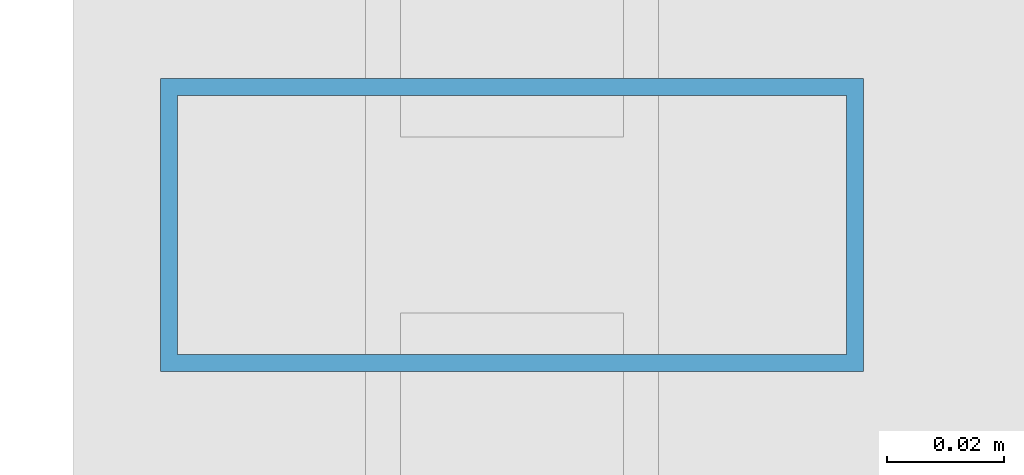
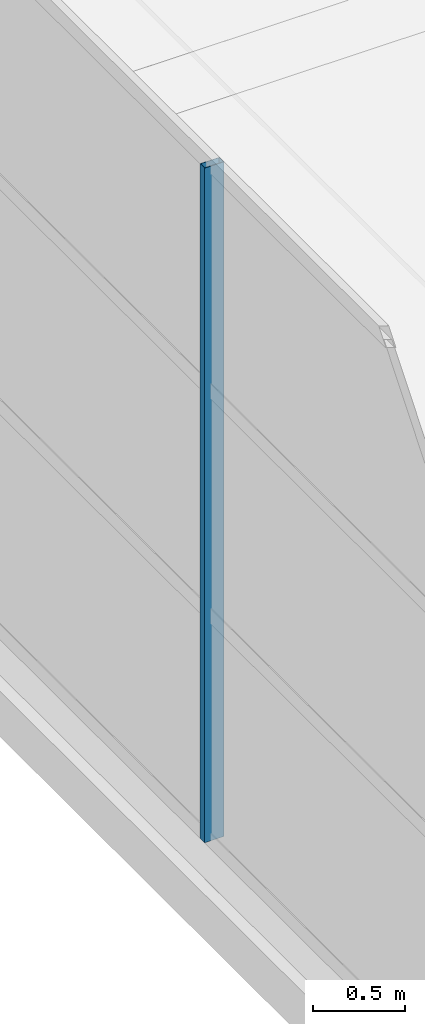
# One storey, part 51 of 112: 1 member, 1 element without a shape of its own.
"""IFC4 building model written with IfcOpenShell, lengths in metres."""

import ifcopenshell
import ifcopenshell.guid

model = None  # the IFC model being written
_history = None  # IfcOwnerHistory: only IFC2X3 demands one
_inside = {}  # id of a spatial element -> (the spatial element, [elements in it])
_under = {}  # id of a project, library or spatial element -> (it, [spatial elements below it])
_declared = {}  # id of a project -> (the project, [libraries it declares])
_typed = {}  # id of a type object -> (the type object, [elements of that type])
_made_of = {}  # id of a material, layer set ... -> (it, [elements and type objects made of it])


def new_model(schema):
    """Start an empty IFC model of exactly this schema.

    Asked for "IFC4X3", IfcOpenShell would pick the latest addendum, in which some entities
    have other attributes; the version numbers below select the first issue.
    IFC2X3 requires an IfcOwnerHistory on every rooted entity: one is made here for all.
    """
    global model, _history
    if schema == "IFC4X3":
        model = ifcopenshell.file(schema_version=(4, 3, 0, 0))
    else:
        model = ifcopenshell.file(schema=schema)
    _inside.clear()
    _under.clear()
    _declared.clear()
    _typed.clear()
    _made_of.clear()
    _history = None
    if model.schema == "IFC2X3":
        org = make("IfcOrganization", Name="unknown")
        user = make(
            "IfcPersonAndOrganization",
            ThePerson=make("IfcPerson", FamilyName="unknown"),
            TheOrganization=org,
        )
        app = make(
            "IfcApplication",
            ApplicationDeveloper=org,
            Version="unknown",
            ApplicationFullName="unknown",
            ApplicationIdentifier="unknown",
        )
        _history = make(
            "IfcOwnerHistory",
            OwningUser=user,
            OwningApplication=app,
            ChangeAction="ADDED",
            CreationDate=0,
        )
    return model


def make(cls, **values):
    """One entity of the class cls with the attributes given. An attribute that is None is left unset."""
    return model.create_entity(
        cls, **{name: value for name, value in values.items() if value is not None}
    )


def rooted(cls, **values):
    """An entity with a GlobalId (a new one), such as an element, a storey or a relation."""
    return make(cls, GlobalId=ifcopenshell.guid.new(), OwnerHistory=_history, **values)


def si_unit(unit_type, name, prefix=None):
    """IfcSIUnit, for example si_unit("LENGTHUNIT", "METRE", prefix="MILLI")."""
    return make("IfcSIUnit", UnitType=unit_type, Prefix=prefix, Name=name)


def assignment(units):
    """IfcUnitAssignment: the units of a project."""
    return None if units is None else make("IfcUnitAssignment", Units=units)


def point(xyz):
    """IfcCartesianPoint."""
    return None if xyz is None else make("IfcCartesianPoint", Coordinates=xyz)


def direction(xyz):
    """IfcDirection."""
    return None if xyz is None else make("IfcDirection", DirectionRatios=xyz)


def frame(location, z_axis=None, x_axis=None):
    """IfcAxis2Placement3D, a coordinate frame: its origin and axes. An axis left out is left unset."""
    return make(
        "IfcAxis2Placement3D",
        Location=point(location),
        Axis=direction(z_axis),
        RefDirection=direction(x_axis),
    )


def frame_2d(location, x_axis=None):
    """IfcAxis2Placement2D, a coordinate frame in the plane: its origin and x axis."""
    return make(
        "IfcAxis2Placement2D", Location=point(location), RefDirection=direction(x_axis)
    )


def origin():
    """The frame at (0, 0, 0) with its axes left unset."""
    return frame((0.0, 0.0, 0.0))


def origin_2d():
    """The frame at (0, 0) in the plane with its x axis left unset."""
    return frame_2d((0.0, 0.0))


def place(relative_to, where):
    """IfcLocalPlacement: puts the frame where relative to a parent placement (None: the world)."""
    return make(
        "IfcLocalPlacement", PlacementRelTo=relative_to, RelativePlacement=where
    )


def context(
    kind, dimensions, precision=None, world=None, true_north=None, identifier=None
):
    """IfcGeometricRepresentationContext, for example the 3D "Model" context."""
    return make(
        "IfcGeometricRepresentationContext",
        ContextIdentifier=identifier,
        ContextType=kind,
        CoordinateSpaceDimension=dimensions,
        Precision=precision,
        WorldCoordinateSystem=world,
        TrueNorth=true_north,
    )


def subcontext(parent, identifier, kind, view, scale=None):
    """IfcGeometricRepresentationSubContext, for example "Body" below "Model"."""
    return make(
        "IfcGeometricRepresentationSubContext",
        ContextIdentifier=identifier,
        ContextType=kind,
        ParentContext=parent,
        TargetScale=scale,
        TargetView=view,
    )


def project(units=None, contexts=None):
    """IfcProject with its units and contexts."""
    return rooted(
        "IfcProject",
        Name="project",
        RepresentationContexts=contexts,
        UnitsInContext=assignment(units),
    )


def spatial(cls, under=None, at=None, **own):
    """A site, building, storey or space (cls), placed at a placement, below another one or the project."""
    s = rooted(cls, ObjectPlacement=at, **own)
    if under is not None:
        _under.setdefault(under.id(), (under, []))[1].append(s)
    return s


def profile(cls, at=None, kind="AREA", **sizes):
    """A parametric profile (cls). Its sizes go by their IFC names, for example OverallWidth=200.0."""
    return make(cls, ProfileType=kind, Position=at, **sizes)


def hollow_rectangle(**sizes):
    """IfcRectangleHollowProfileDef."""
    return profile("IfcRectangleHollowProfileDef", **sizes)


def extrude(swept, where, along, depth):
    """IfcExtrudedAreaSolid: the profile swept, set in the frame where, extruded along a direction by depth."""
    return make(
        "IfcExtrudedAreaSolid",
        SweptArea=swept,
        Position=where,
        ExtrudedDirection=direction(along),
        Depth=depth,
    )


def shape(context_of_items, identifier, shape_type, items):
    """IfcShapeRepresentation: the items that make up one representation, for example the "Body"."""
    return make(
        "IfcShapeRepresentation",
        ContextOfItems=context_of_items,
        RepresentationIdentifier=identifier,
        RepresentationType=shape_type,
        Items=items,
    )


def material(Name=None, Category=None):
    """IfcMaterial."""
    return make("IfcMaterial", Name=Name, Category=Category)


def material_profile(
    of_material, cross_section, Name=None, Category=None, Priority=None
):
    """IfcMaterialProfile: a cross section and its material."""
    return make(
        "IfcMaterialProfile",
        Name=Name,
        Material=of_material,
        Profile=cross_section,
        Priority=Priority,
        Category=Category,
    )


def profile_set(profiles, Name=None, composite=None):
    """IfcMaterialProfileSet."""
    return make(
        "IfcMaterialProfileSet",
        Name=Name,
        MaterialProfiles=profiles,
        CompositeProfile=composite,
    )


def made_of(thing, what):
    """Note that an element or type object is made of a material, layer set ...; save() writes the relation."""
    if what is not None:
        _made_of.setdefault(what.id(), (what, []))[1].append(thing)
    return thing


def type_object(cls, material=None, **own):
    """A type object (cls), such as IfcWallType, which elements share."""
    return made_of(rooted(cls, **own), material)


def element(
    cls,
    number,
    at=None,
    inside=None,
    cuts=None,
    type_object=None,
    material=None,
    context=None,
    identifier="Body",
    shape_type=None,
    held_by="IfcProductDefinitionShape",
    body=None,
    shapes=None,
    **own,
):
    """One element of the class cls, such as IfcWall. Its Tag is "e" and its number.

    at: its placement. inside: the storey or other place that contains it. cuts: it is an
    opening in that element (IfcRelVoidsElement). A single representation is given by context,
    identifier, shape_type and body (its items); several are given by shapes. held_by: the class
    of the entity that holds the representations. save() writes the other relations.
    """
    e = rooted(cls, Tag="e%d" % number, ObjectPlacement=at, **own)
    if body is not None:
        shapes = [shape(context, identifier, shape_type, body)]
    if shapes is not None:
        e.Representation = make(held_by, Representations=shapes)
    if inside is not None:
        _inside.setdefault(inside.id(), (inside, []))[1].append(e)
    if cuts is not None:
        rooted(
            "IfcRelVoidsElement", RelatingBuildingElement=cuts, RelatedOpeningElement=e
        )
    if type_object is not None:
        _typed.setdefault(type_object.id(), (type_object, []))[1].append(e)
    return made_of(e, material)


def aggregate(whole, parts):
    """IfcRelAggregates: a whole, such as a stair, and the parts it consists of."""
    return rooted("IfcRelAggregates", RelatingObject=whole, RelatedObjects=parts)


def save(model, path):
    """Write the relations noted so far, then the file.

    IfcRelAggregates (storeys below a building ...), IfcRelContainedInSpatialStructure (elements
    in a storey), IfcRelDefinesByType, IfcRelAssociatesMaterial and IfcRelDeclares: one each for
    every whole, place, type object, material and project.
    """
    for whole, parts in _under.values():
        aggregate(whole, parts)
    for where, things in _inside.values():
        rooted(
            "IfcRelContainedInSpatialStructure",
            RelatedElements=things,
            RelatingStructure=where,
        )
    for kind, things in _typed.values():
        rooted("IfcRelDefinesByType", RelatedObjects=things, RelatingType=kind)
    for what, things in _made_of.values():
        rooted("IfcRelAssociatesMaterial", RelatedObjects=things, RelatingMaterial=what)
    for by, libraries in _declared.values():
        rooted("IfcRelDeclares", RelatingContext=by, RelatedDefinitions=libraries)
    model.write(path)


model = new_model("IFC4")

# Units and contexts
model_context = context("Model", 3, precision=1e-05, world=origin(), true_north=direction((0.0, 1.0)))
body_context = subcontext(model_context, "Body", "Model", "MODEL_VIEW")
ifc_project = project(units=[si_unit("LENGTHUNIT", "METRE"), si_unit("AREAUNIT", "SQUARE_METRE"), si_unit("VOLUMEUNIT", "CUBIC_METRE"), si_unit("PLANEANGLEUNIT", "RADIAN"), si_unit("MASSUNIT", "GRAM", prefix="KILO")], contexts=[model_context])

# Site, building, storey
site_placement = place(None, origin())
site = spatial("IfcSite", under=ifc_project, at=site_placement, CompositionType="ELEMENT")
building_placement = place(site_placement, origin())
building = spatial("IfcBuilding", under=site, at=building_placement, Name="Solvikara Media Centre", CompositionType="ELEMENT")
storey_placement = place(building_placement, frame((0.0, 0.0, 5.39990234375)))
storey = spatial("IfcBuildingStorey", under=building, at=storey_placement, Name="L01", CompositionType="ELEMENT", Elevation=5.39990234375)

# Curtain wall, member
ifc_material = material(Name="Anodised aluminium EN AW-6063", Category="aluminium")
curtain_wall_type = type_object("IfcCurtainWallType", Name="CW-12", PredefinedType="NOTDEFINED", material=ifc_material)
curtain_wall_placement = place(storey_placement, origin())
curtain_wall = element("IfcCurtainWall", 1, at=curtain_wall_placement, inside=storey, type_object=curtain_wall_type, Name="CW-L01-V2W-S2", PredefinedType="NOTDEFINED")
ifc_material_profile = material_profile(ifc_material, hollow_rectangle(XDim=0.050048828125, YDim=0.1201171875, WallThickness=0.0029296875, at=origin_2d()), Name="ALU-M 50x120x3")
ifc_profile_set = profile_set([ifc_material_profile], Name="Anodised aluminium EN AW-6063")
member_type = type_object("IfcMemberType", Name="MF-06", PredefinedType="MULLION", material=ifc_profile_set)
member_placement = place(storey_placement, frame((127.5, 65.5, 0.02001953125), z_axis=(0.0, 0.0, 1.0), x_axis=(0.0, 1.0, 0.0)))
member = element("IfcMember", 2, at=member_placement, type_object=member_type, Name="CW-L01-V2W-S2-M01", PredefinedType="MULLION", context=body_context, shape_type="SweptSolid", body=[
    extrude(hollow_rectangle(XDim=0.050048828125, YDim=0.1201171875, WallThickness=0.0029296875, at=origin_2d()), origin(), (0.0, 0.0, 1.0), 4.4599609375),
])
aggregate(curtain_wall, [member])

save(model, "model.ifc")
